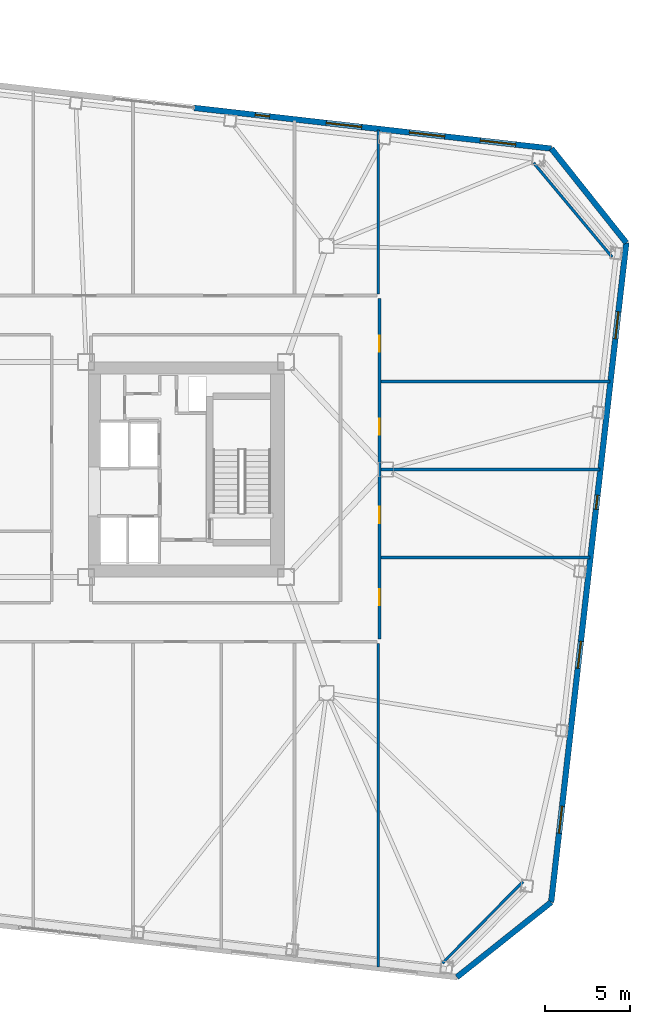
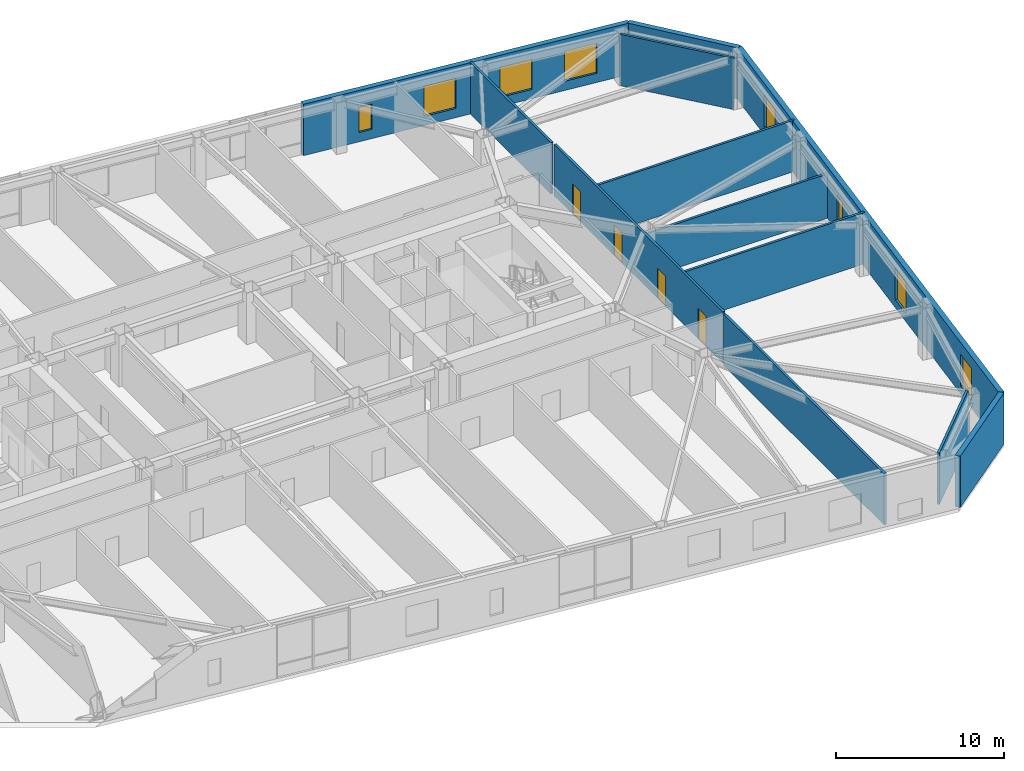
# One storey, part 15 of 21: 12 walls, 8 windows, 4 doors, 12 openings.
"""IFC4 building model written with IfcOpenShell, lengths in metres."""

from ifc_helpers import new_model, si_unit, direction, frame, frame_2d, origin, place, context, subcontext, project, spatial, rectangle, extrude, material, layer, layer_set, type_object, element, fill, save


model = new_model("IFC4")

# Units and contexts
model_context = context("Model", 3, precision=1e-05, world=origin(), true_north=direction((0.0, 1.0)))
body_context = subcontext(model_context, "Body", "Model", "MODEL_VIEW")
ifc_project = project(units=[si_unit("LENGTHUNIT", "METRE"), si_unit("AREAUNIT", "SQUARE_METRE"), si_unit("VOLUMEUNIT", "CUBIC_METRE"), si_unit("PLANEANGLEUNIT", "RADIAN"), si_unit("MASSUNIT", "GRAM", prefix="KILO")], contexts=[model_context])

# Site, building, storey
site_placement = place(None, origin())
site = spatial("IfcSite", under=ifc_project, at=site_placement, CompositionType="ELEMENT")
building_placement = place(site_placement, origin())
building = spatial("IfcBuilding", under=site, at=building_placement, Name="Tavrogorsk Clinical Tower", CompositionType="ELEMENT")
storey_placement = place(building_placement, frame((0.0, 0.0, 133.39990234375)))
storey = spatial("IfcBuildingStorey", under=building, at=storey_placement, Name="L30", CompositionType="ELEMENT", Elevation=133.39990234375)

# Walls
ifc_material_1 = material(Name="Lightweight concrete blockwork B15", Category="masonry")
ifc_layer_1 = layer(ifc_material_1, 0.159912109375)
ifc_layer_set_1 = layer_set([ifc_layer_1], Name="Lightweight concrete blockwork B15")
wall_type_1 = type_object("IfcWallType", Name="PartitionWall_160", PredefinedType="PARTITIONING", material=ifc_layer_set_1)
wall_1_placement = place(storey_placement, frame((31.34130859375, -29.162109375, 0.0), z_axis=(0.0, 0.0, 1.0), x_axis=(0.702905898933, 0.711282853192, 0.0)))
element("IfcWall", 1, at=wall_1_placement, inside=storey, type_object=wall_type_1, Name="L30 Corner Exoskeleton Brace Furring Wall 1", PredefinedType="PARTITIONING", context=body_context, shape_type="SweptSolid", body=[
    extrude(rectangle(XDim=6.761474609375, YDim=0.159912109375, at=frame_2d((3.380859375, 0.0))), origin(), (0.0, 0.0, 1.0), 3.739990234375),
])
wall_2_placement = place(storey_placement, frame((41.36083984375, 12.555908203125, 0.0), z_axis=(0.0, 0.0, 1.0), x_axis=(-0.640217638562, 0.768193579298, 0.0)))
element("IfcWall", 2, at=wall_2_placement, inside=storey, type_object=wall_type_1, Name="L30 Corner Exoskeleton Brace Furring Wall 2", PredefinedType="PARTITIONING", context=body_context, shape_type="SweptSolid", body=[
    extrude(rectangle(XDim=7.224365234375, YDim=0.159912109375, at=frame_2d((3.6123046875, 0.0))), origin(), (0.0, 0.0, 1.0), 3.739990234375),
])

# Wall, openings, doors
wall_3_placement = place(storey_placement, frame((27.6298828125, 10.114990234375, 0.0), z_axis=(0.0, 0.0, 1.0), x_axis=(0.0, -1.0, 0.0)))
wall_3 = element("IfcWall", 3, at=wall_3_placement, inside=storey, type_object=wall_type_1, Name="L30 Corridor Partition 03", PredefinedType="PARTITIONING", context=body_context, shape_type="SweptSolid", body=[
    extrude(rectangle(XDim=20.1298828125, YDim=0.159912109375, at=frame_2d((10.06494140625, 0.0))), origin(), (0.0, 0.0, 1.0), 3.739990234375),
])
opening_1_placement = place(wall_3_placement, frame((17.180908203125, 0.0, 0.0)))
opening_1 = element("IfcOpeningElement", 4, at=opening_1_placement, cuts=wall_3, Name="Opening ID-02", PredefinedType="OPENING", context=body_context, shape_type="SweptSolid", body=[
    extrude(rectangle(XDim=0.949951171875, YDim=2.199951171875, at=frame_2d((0.47509765625, 1.10009765625))), frame((0.0, 0.08984375, 0.0), z_axis=(0.0, -1.0, 0.0), x_axis=(1.0, 0.0, 0.0)), (0.0, 0.0, 1.0), 0.179931640625),
])
opening_2_placement = place(wall_3_placement, frame((12.324951171875, 0.0, 0.0)))
opening_2 = element("IfcOpeningElement", 5, at=opening_2_placement, cuts=wall_3, Name="Opening ID-02", PredefinedType="OPENING", context=body_context, shape_type="SweptSolid", body=[
    extrude(rectangle(XDim=0.949951171875, YDim=2.199951171875, at=frame_2d((0.47509765625, 1.10009765625))), frame((0.0, 0.08984375, 0.0), z_axis=(0.0, -1.0, 0.0), x_axis=(1.0, 0.0, 0.0)), (0.0, 0.0, 1.0), 0.179931640625),
])
opening_3_placement = place(wall_3_placement, frame((7.125, 0.0, 0.0)))
opening_3 = element("IfcOpeningElement", 6, at=opening_3_placement, cuts=wall_3, Name="Opening ID-02", PredefinedType="OPENING", context=body_context, shape_type="SweptSolid", body=[
    extrude(rectangle(XDim=0.949951171875, YDim=2.199951171875, at=frame_2d((0.47509765625, 1.10009765625))), frame((0.0, 0.08984375, 0.0), z_axis=(0.0, -1.0, 0.0), x_axis=(1.0, 0.0, 0.0)), (0.0, 0.0, 1.0), 0.179931640625),
])
opening_4_placement = place(wall_3_placement, frame((2.218994140625, 0.0, 0.0)))
opening_4 = element("IfcOpeningElement", 7, at=opening_4_placement, cuts=wall_3, Name="Opening ID-02", PredefinedType="OPENING", context=body_context, shape_type="SweptSolid", body=[
    extrude(rectangle(XDim=0.949951171875, YDim=2.199951171875, at=frame_2d((0.47509765625, 1.10009765625))), frame((0.0, 0.08984375, 0.0), z_axis=(0.0, -1.0, 0.0), x_axis=(1.0, 0.0, 0.0)), (0.0, 0.0, 1.0), 0.179931640625),
])
ifc_material_2 = material(Name="Laminated timber leaf on aluminium frame", Category="wood")
door_type = type_object("IfcDoorType", Name="InteriorDoor_ID02_950", OperationType="NOTDEFINED", PredefinedType="DOOR", material=ifc_material_2)
door_1_placement = place(opening_1_placement, origin())
door_1 = element("IfcDoor", 8, at=door_1_placement, inside=storey, type_object=door_type, Name="L30 E Senior Clinician Suite 1 Door", OperationType="SINGLE_SWING_RIGHT", OverallHeight=2.199951171875, OverallWidth=0.949951171875, PredefinedType="DOOR", context=body_context, shape_type="SweptSolid", body=[
    extrude(rectangle(XDim=0.949951171875, YDim=2.199951171875, at=frame_2d((0.47509765625, 1.10009765625))), frame((0.0, 0.02490234375, 0.0), z_axis=(0.0, -1.0, 0.0), x_axis=(1.0, 0.0, 0.0)), (0.0, 0.0, 1.0), 0.050048828125),
])
fill(opening_1, door_1)
door_2_placement = place(opening_2_placement, origin())
door_2 = element("IfcDoor", 9, at=door_2_placement, inside=storey, type_object=door_type, Name="L30 E Multidisciplinary Seminar Suite 2 Door", OperationType="SINGLE_SWING_LEFT", OverallHeight=2.199951171875, OverallWidth=0.949951171875, PredefinedType="DOOR", context=body_context, shape_type="SweptSolid", body=[
    extrude(rectangle(XDim=0.949951171875, YDim=2.199951171875, at=frame_2d((0.47509765625, 1.10009765625))), frame((0.0, 0.02490234375, 0.0), z_axis=(0.0, -1.0, 0.0), x_axis=(1.0, 0.0, 0.0)), (0.0, 0.0, 1.0), 0.050048828125),
])
fill(opening_2, door_2)
door_3_placement = place(opening_3_placement, origin())
door_3 = element("IfcDoor", 10, at=door_3_placement, inside=storey, type_object=door_type, Name="L30 E Specialist Consultation Room 3 Door", OperationType="SINGLE_SWING_RIGHT", OverallHeight=2.199951171875, OverallWidth=0.949951171875, PredefinedType="DOOR", context=body_context, shape_type="SweptSolid", body=[
    extrude(rectangle(XDim=0.949951171875, YDim=2.199951171875, at=frame_2d((0.47509765625, 1.10009765625))), frame((0.0, 0.02490234375, 0.0), z_axis=(0.0, -1.0, 0.0), x_axis=(1.0, 0.0, 0.0)), (0.0, 0.0, 1.0), 0.050048828125),
])
fill(opening_3, door_3)
door_4_placement = place(opening_4_placement, origin())
door_4 = element("IfcDoor", 11, at=door_4_placement, inside=storey, type_object=door_type, Name="L30 E Clinical Fellows' Study 4 Door", OperationType="SINGLE_SWING_LEFT", OverallHeight=2.199951171875, OverallWidth=0.949951171875, PredefinedType="DOOR", context=body_context, shape_type="SweptSolid", body=[
    extrude(rectangle(XDim=0.949951171875, YDim=2.199951171875, at=frame_2d((0.47509765625, 1.10009765625))), frame((0.0, 0.02490234375, 0.0), z_axis=(0.0, -1.0, 0.0), x_axis=(1.0, 0.0, 0.0)), (0.0, 0.0, 1.0), 0.050048828125),
])
fill(opening_4, door_4)

# Walls
wall_4_placement = place(storey_placement, frame((27.550048828125, 10.364990234375, 0.0), z_axis=(0.0, 0.0, 1.0), x_axis=(0.0, 1.0, 0.0)))
element("IfcWall", 12, at=wall_4_placement, inside=storey, type_object=wall_type_1, Name="L30 NE Wing Closure Partition", PredefinedType="PARTITIONING", context=body_context, shape_type="SweptSolid", body=[
    extrude(rectangle(XDim=9.6884765625, YDim=0.159912109375, at=frame_2d((4.84423828125, 0.0))), origin(), (0.0, 0.0, 1.0), 3.739990234375),
])
wall_5_placement = place(storey_placement, frame((27.550048828125, -29.384521484375, 0.0), z_axis=(0.0, 0.0, 1.0), x_axis=(0.0, 1.0, 0.0)))
element("IfcWall", 13, at=wall_5_placement, inside=storey, type_object=wall_type_1, Name="L30 SE Wing Closure Partition", PredefinedType="PARTITIONING", context=body_context, shape_type="SweptSolid", body=[
    extrude(rectangle(XDim=19.11962890625, YDim=0.159912109375, at=frame_2d((9.559814453125, 0.0))), origin(), (0.0, 0.0, 1.0), 3.739990234375),
])
wall_6_placement = place(storey_placement, frame((27.715087890625, -5.199951171875, 0.0), z_axis=(0.0, 0.0, 1.0), x_axis=(1.0, 0.0, 0.0)))
element("IfcWall", 14, at=wall_6_placement, inside=storey, type_object=wall_type_1, Name="L30 E Wing Divider 1", PredefinedType="PARTITIONING", context=body_context, shape_type="SweptSolid", body=[
    extrude(rectangle(XDim=12.35205078125, YDim=0.159912109375, at=frame_2d((6.176025390625, 0.0))), origin(), (0.0, 0.0, 1.0), 3.739990234375),
])
wall_7_placement = place(storey_placement, frame((27.715087890625, 0.0, 0.0), z_axis=(0.0, 0.0, 1.0), x_axis=(1.0, 0.0, 0.0)))
element("IfcWall", 15, at=wall_7_placement, inside=storey, type_object=wall_type_1, Name="L30 E Wing Divider 2", PredefinedType="PARTITIONING", context=body_context, shape_type="SweptSolid", body=[
    extrude(rectangle(XDim=12.944580078125, YDim=0.159912109375, at=frame_2d((6.47216796875, 0.0))), origin(), (0.0, 0.0, 1.0), 3.235107421875),
])
wall_8_placement = place(storey_placement, frame((27.715087890625, 5.199951171875, 0.0), z_axis=(0.0, 0.0, 1.0), x_axis=(1.0, 0.0, 0.0)))
element("IfcWall", 16, at=wall_8_placement, inside=storey, type_object=wall_type_1, Name="L30 E Wing Divider 3", PredefinedType="PARTITIONING", context=body_context, shape_type="SweptSolid", body=[
    extrude(rectangle(XDim=13.537109375, YDim=0.159912109375, at=frame_2d((6.7685546875, 0.0))), origin(), (0.0, 0.0, 1.0), 3.739990234375),
])

# Wall, openings, windows
ifc_material_3 = material(Name="Precast concrete B45 with limestone cladding", Category="masonry")
ifc_layer_2 = layer(ifc_material_3, 0.340087890625)
ifc_layer_set_2 = layer_set([ifc_layer_2], Name="Precast concrete B45 with limestone cladding")
wall_type_2 = type_object("IfcWallType", Name="PrecastLimestoneWall_340", PredefinedType="STANDARD", material=ifc_layer_set_2)
wall_9_placement = place(storey_placement, frame((37.77734375, 18.95849609375, 0.0), z_axis=(0.0, 0.0, 1.0), x_axis=(-0.993571362037, 0.113207546299, 0.0)))
wall_9 = element("IfcWall", 17, at=wall_9_placement, inside=storey, type_object=wall_type_2, Name="L30 N Limestone Facade Wall 1", PredefinedType="STANDARD", context=body_context, shape_type="SweptSolid", body=[
    extrude(rectangle(XDim=21.222900390625, YDim=0.340087890625, at=frame_2d((10.611328125, 0.0))), origin(), (0.0, 0.0, 1.0), 3.739990234375),
])
opening_5_placement = place(wall_9_placement, frame((16.75634765625, 0.0, 0.669921875)))
opening_5 = element("IfcOpeningElement", 18, at=opening_5_placement, cuts=wall_9, Name="Opening WN-06", PredefinedType="OPENING", context=body_context, shape_type="SweptSolid", body=[
    extrude(rectangle(XDim=0.85009765625, YDim=1.85009765625, at=frame_2d((0.425048828125, 0.925048828125))), frame((0.0, 0.179931640625, 0.0), z_axis=(0.0, -1.0, 0.0), x_axis=(1.0, 0.0, 0.0)), (0.0, 0.0, 1.0), 0.360107421875),
])
opening_6_placement = place(wall_9_placement, frame((11.284912109375, 0.0, 0.669921875)))
opening_6 = element("IfcOpeningElement", 19, at=opening_6_placement, cuts=wall_9, Name="Opening WN-03", PredefinedType="OPENING", context=body_context, shape_type="SweptSolid", body=[
    extrude(rectangle(XDim=2.10009765625, YDim=2.199951171875, at=frame_2d((1.050048828125, 1.10009765625))), frame((0.0, 0.179931640625, 0.0), z_axis=(0.0, -1.0, 0.0), x_axis=(1.0, 0.0, 0.0)), (0.0, 0.0, 1.0), 0.360107421875),
])
opening_7_placement = place(wall_9_placement, frame((6.335693359375, 0.0, 0.669921875)))
opening_7 = element("IfcOpeningElement", 20, at=opening_7_placement, cuts=wall_9, Name="Opening WN-03", PredefinedType="OPENING", context=body_context, shape_type="SweptSolid", body=[
    extrude(rectangle(XDim=2.10009765625, YDim=2.199951171875, at=frame_2d((1.050048828125, 1.10009765625))), frame((0.0, 0.179931640625, 0.0), z_axis=(0.0, -1.0, 0.0), x_axis=(1.0, 0.0, 0.0)), (0.0, 0.0, 1.0), 0.360107421875),
])
opening_8_placement = place(wall_9_placement, frame((2.125244140625, 0.0, 0.669921875)))
opening_8 = element("IfcOpeningElement", 21, at=opening_8_placement, cuts=wall_9, Name="Opening WN-03", PredefinedType="OPENING", context=body_context, shape_type="SweptSolid", body=[
    extrude(rectangle(XDim=2.10009765625, YDim=2.199951171875, at=frame_2d((1.050048828125, 1.10009765625))), frame((0.0, 0.179931640625, 0.0), z_axis=(0.0, -1.0, 0.0), x_axis=(1.0, 0.0, 0.0)), (0.0, 0.0, 1.0), 0.360107421875),
])
ifc_material_4 = material(Name="Thermally broken aluminium frame and triple IGU", Category="aluminium")
window_type_1 = type_object("IfcWindowType", Name="MullionSubWin_850x1850", PartitioningType="SINGLE_PANEL", PredefinedType="WINDOW", material=ifc_material_4)
window_1_placement = place(opening_5_placement, origin())
window_1 = element("IfcWindow", 22, at=window_1_placement, inside=storey, type_object=window_type_1, Name="L30 N Mullion Split Window 07B", OverallHeight=1.85009765625, OverallWidth=0.85009765625, PartitioningType="SINGLE_PANEL", PredefinedType="WINDOW", context=body_context, shape_type="SweptSolid", body=[
    extrude(rectangle(XDim=0.85009765625, YDim=1.85009765625, at=frame_2d((0.425048828125, 0.925048828125))), frame((0.0, 0.030029296875, 0.0), z_axis=(0.0, -1.0, 0.0), x_axis=(1.0, 0.0, 0.0)), (0.0, 0.0, 1.0), 0.06005859375),
])
fill(opening_5, window_1)
ifc_material_5 = material(Name="Thermally broken aluminium frame and triple IGU", Category="aluminium")
window_type_2 = type_object("IfcWindowType", Name="PatientTwinWin_2100x2200", PartitioningType="DOUBLE_PANEL_VERTICAL", PredefinedType="WINDOW", material=ifc_material_5)
window_2_placement = place(opening_6_placement, origin())
window_2 = element("IfcWindow", 23, at=window_2_placement, inside=storey, type_object=window_type_2, Name="L30 N Chicago Window 08", OverallHeight=2.199951171875, OverallWidth=2.10009765625, PartitioningType="SINGLE_PANEL", PredefinedType="WINDOW", context=body_context, shape_type="SweptSolid", body=[
    extrude(rectangle(XDim=2.10009765625, YDim=2.199951171875, at=frame_2d((1.050048828125, 1.10009765625))), frame((0.0, 0.030029296875, 0.0), z_axis=(0.0, -1.0, 0.0), x_axis=(1.0, 0.0, 0.0)), (0.0, 0.0, 1.0), 0.06005859375),
])
fill(opening_6, window_2)
window_3_placement = place(opening_7_placement, origin())
window_3 = element("IfcWindow", 24, at=window_3_placement, inside=storey, type_object=window_type_2, Name="L30 N Chicago Window 09", OverallHeight=2.199951171875, OverallWidth=2.10009765625, PartitioningType="SINGLE_PANEL", PredefinedType="WINDOW", context=body_context, shape_type="SweptSolid", body=[
    extrude(rectangle(XDim=2.10009765625, YDim=2.199951171875, at=frame_2d((1.050048828125, 1.10009765625))), frame((0.0, 0.030029296875, 0.0), z_axis=(0.0, -1.0, 0.0), x_axis=(1.0, 0.0, 0.0)), (0.0, 0.0, 1.0), 0.06005859375),
])
fill(opening_7, window_3)
window_4_placement = place(opening_8_placement, origin())
window_4 = element("IfcWindow", 25, at=window_4_placement, inside=storey, type_object=window_type_2, Name="L30 N Chicago Window 10", OverallHeight=2.199951171875, OverallWidth=2.10009765625, PartitioningType="SINGLE_PANEL", PredefinedType="WINDOW", context=body_context, shape_type="SweptSolid", body=[
    extrude(rectangle(XDim=2.10009765625, YDim=2.199951171875, at=frame_2d((1.050048828125, 1.10009765625))), frame((0.0, 0.030029296875, 0.0), z_axis=(0.0, -1.0, 0.0), x_axis=(1.0, 0.0, 0.0)), (0.0, 0.0, 1.0), 0.06005859375),
])
fill(opening_8, window_4)

wall_10_placement = place(storey_placement, frame((37.76806640625, -25.556396484375, 0.0), z_axis=(0.0, 0.0, 1.0), x_axis=(0.113201605824, 0.993572038877, 0.0)))
wall_10 = element("IfcWall", 26, at=wall_10_placement, inside=storey, type_object=wall_type_2, Name="L30 E Pleated Limestone Wing Wall", PredefinedType="STANDARD", context=body_context, shape_type="SweptSolid", body=[
    extrude(rectangle(XDim=39.199951171875, YDim=0.340087890625, at=frame_2d((19.60009765625, 0.0))), origin(), (0.0, 0.0, 1.0), 3.739990234375),
])
opening_9_placement = place(wall_10_placement, frame((4.10009765625, 0.0, 0.580078125)))
opening_9 = element("IfcOpeningElement", 27, at=opening_9_placement, cuts=wall_10, Name="Opening WN-07", PredefinedType="OPENING", context=body_context, shape_type="SweptSolid", body=[
    extrude(rectangle(XDim=1.60009765625, YDim=2.300048828125, at=frame_2d((0.800048828125, 1.14990234375))), frame((0.0, 0.179931640625, 0.0), z_axis=(0.0, -1.0, 0.0), x_axis=(1.0, 0.0, 0.0)), (0.0, 0.0, 1.0), 0.360107421875),
])
opening_10_placement = place(wall_10_placement, frame((13.89990234375, 0.0, 0.580078125)))
opening_10 = element("IfcOpeningElement", 28, at=opening_10_placement, cuts=wall_10, Name="Opening WN-07", PredefinedType="OPENING", context=body_context, shape_type="SweptSolid", body=[
    extrude(rectangle(XDim=1.60009765625, YDim=2.300048828125, at=frame_2d((0.800048828125, 1.14990234375))), frame((0.0, 0.179931640625, 0.0), z_axis=(0.0, -1.0, 0.0), x_axis=(1.0, 0.0, 0.0)), (0.0, 0.0, 1.0), 0.360107421875),
])
opening_11_placement = place(wall_10_placement, frame((23.35009765625, 0.0, 0.75)))
opening_11 = element("IfcOpeningElement", 29, at=opening_11_placement, cuts=wall_10, Name="Opening WN-06", PredefinedType="OPENING", context=body_context, shape_type="SweptSolid", body=[
    extrude(rectangle(XDim=0.85009765625, YDim=1.85009765625, at=frame_2d((0.425048828125, 0.925048828125))), frame((0.0, 0.179931640625, 0.0), z_axis=(0.0, -1.0, 0.0), x_axis=(1.0, 0.0, 0.0)), (0.0, 0.0, 1.0), 0.360107421875),
])
opening_12_placement = place(wall_10_placement, frame((33.5, 0.0, 0.580078125)))
opening_12 = element("IfcOpeningElement", 30, at=opening_12_placement, cuts=wall_10, Name="Opening WN-07", PredefinedType="OPENING", context=body_context, shape_type="SweptSolid", body=[
    extrude(rectangle(XDim=1.60009765625, YDim=2.300048828125, at=frame_2d((0.800048828125, 1.14990234375))), frame((0.0, 0.179931640625, 0.0), z_axis=(0.0, -1.0, 0.0), x_axis=(1.0, 0.0, 0.0)), (0.0, 0.0, 1.0), 0.360107421875),
])
window_5_placement = place(opening_11_placement, origin())
window_5 = element("IfcWindow", 31, at=window_5_placement, inside=storey, type_object=window_type_1, Name="L30 E Pleat Mullion Window 3A", OverallHeight=1.85009765625, OverallWidth=0.85009765625, PartitioningType="SINGLE_PANEL", PredefinedType="WINDOW", context=body_context, shape_type="SweptSolid", body=[
    extrude(rectangle(XDim=0.85009765625, YDim=1.85009765625, at=frame_2d((0.425048828125, 0.925048828125))), frame((0.0, 0.030029296875, 0.0), z_axis=(0.0, -1.0, 0.0), x_axis=(1.0, 0.0, 0.0)), (0.0, 0.0, 1.0), 0.06005859375),
])
fill(opening_11, window_5)
ifc_material_6 = material(Name="Thermally broken aluminium frame and triple IGU", Category="aluminium")
window_type_3 = type_object("IfcWindowType", Name="PleatSlotWin_1600x2300", PartitioningType="SINGLE_PANEL", PredefinedType="WINDOW", material=ifc_material_6)
window_6_placement = place(opening_9_placement, origin())
window_6 = element("IfcWindow", 32, at=window_6_placement, inside=storey, type_object=window_type_3, Name="L30 E Pleat Slot Window 1", OverallHeight=2.300048828125, OverallWidth=1.60009765625, PartitioningType="SINGLE_PANEL", PredefinedType="WINDOW", context=body_context, shape_type="SweptSolid", body=[
    extrude(rectangle(XDim=1.60009765625, YDim=2.300048828125, at=frame_2d((0.800048828125, 1.14990234375))), frame((0.0, 0.030029296875, 0.0), z_axis=(0.0, -1.0, 0.0), x_axis=(1.0, 0.0, 0.0)), (0.0, 0.0, 1.0), 0.06005859375),
])
fill(opening_9, window_6)
window_7_placement = place(opening_10_placement, origin())
window_7 = element("IfcWindow", 33, at=window_7_placement, inside=storey, type_object=window_type_3, Name="L30 E Pleat Slot Window 2", OverallHeight=2.300048828125, OverallWidth=1.60009765625, PartitioningType="SINGLE_PANEL", PredefinedType="WINDOW", context=body_context, shape_type="SweptSolid", body=[
    extrude(rectangle(XDim=1.60009765625, YDim=2.300048828125, at=frame_2d((0.800048828125, 1.14990234375))), frame((0.0, 0.030029296875, 0.0), z_axis=(0.0, -1.0, 0.0), x_axis=(1.0, 0.0, 0.0)), (0.0, 0.0, 1.0), 0.06005859375),
])
fill(opening_10, window_7)
window_8_placement = place(opening_12_placement, origin())
window_8 = element("IfcWindow", 34, at=window_8_placement, inside=storey, type_object=window_type_3, Name="L30 E Pleat Slot Window 4", OverallHeight=2.300048828125, OverallWidth=1.60009765625, PartitioningType="SINGLE_PANEL", PredefinedType="WINDOW", context=body_context, shape_type="SweptSolid", body=[
    extrude(rectangle(XDim=1.60009765625, YDim=2.300048828125, at=frame_2d((0.800048828125, 1.14990234375))), frame((0.0, 0.030029296875, 0.0), z_axis=(0.0, -1.0, 0.0), x_axis=(1.0, 0.0, 0.0)), (0.0, 0.0, 1.0), 0.06005859375),
])
fill(opening_12, window_8)

# Walls
wall_11_placement = place(storey_placement, frame((32.200927734375, -29.984619140625, 0.0), z_axis=(0.0, 0.0, 1.0), x_axis=(0.78261359446, 0.622507800567, 0.0)))
element("IfcWall", 35, at=wall_11_placement, inside=storey, type_object=wall_type_2, Name="L30 Chamfered Corner Wall 1", PredefinedType="STANDARD", context=body_context, shape_type="SweptSolid", body=[
    extrude(rectangle(XDim=7.113525390625, YDim=0.340087890625, at=frame_2d((3.556640625, 0.0))), origin(), (0.0, 0.0, 1.0), 3.739990234375),
])
wall_12_placement = place(storey_placement, frame((42.20556640625, 13.3916015625, 0.0), z_axis=(0.0, 0.0, 1.0), x_axis=(-0.622524521309, 0.782600294128, 0.0)))
element("IfcWall", 36, at=wall_12_placement, inside=storey, type_object=wall_type_2, Name="L30 Chamfered Corner Wall 2", PredefinedType="STANDARD", context=body_context, shape_type="SweptSolid", body=[
    extrude(rectangle(XDim=7.11328125, YDim=0.340087890625, at=frame_2d((3.556640625, 0.0))), origin(), (0.0, 0.0, 1.0), 3.739990234375),
])

save(model, "model.ifc")
